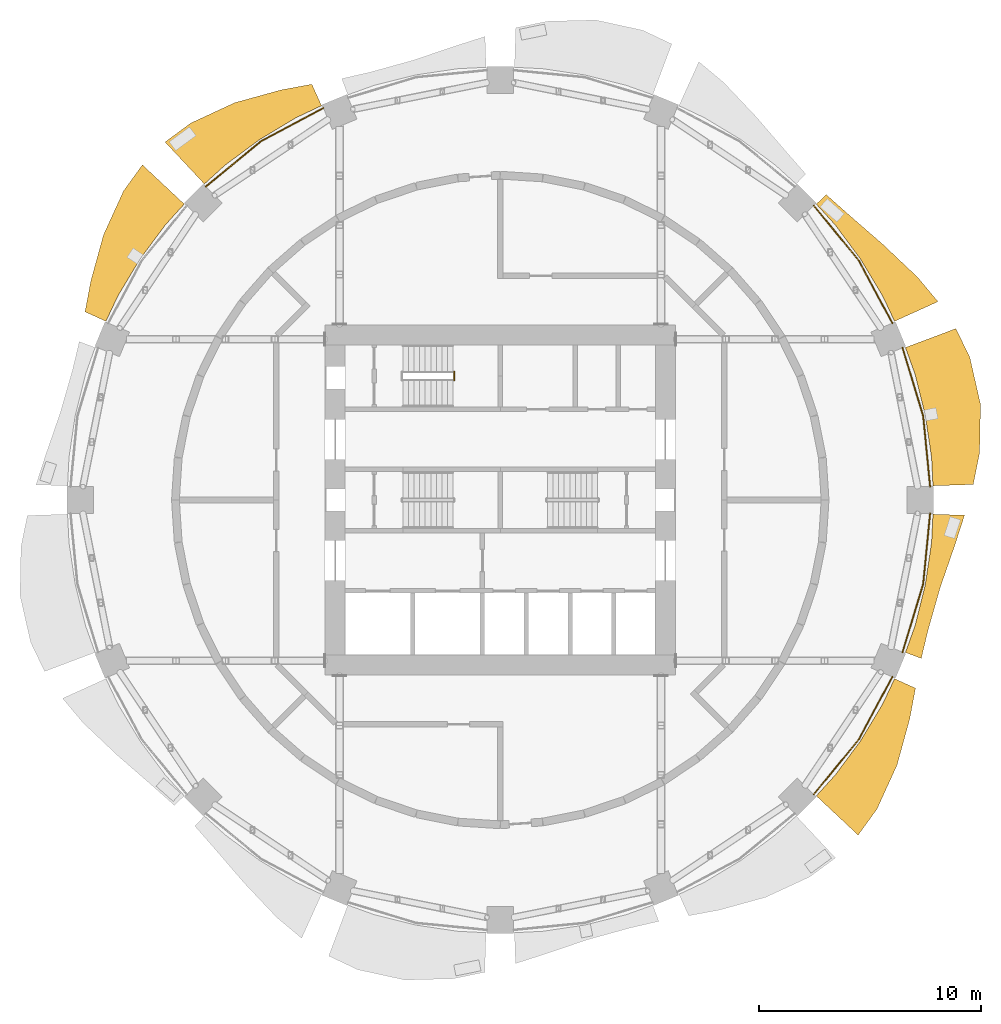
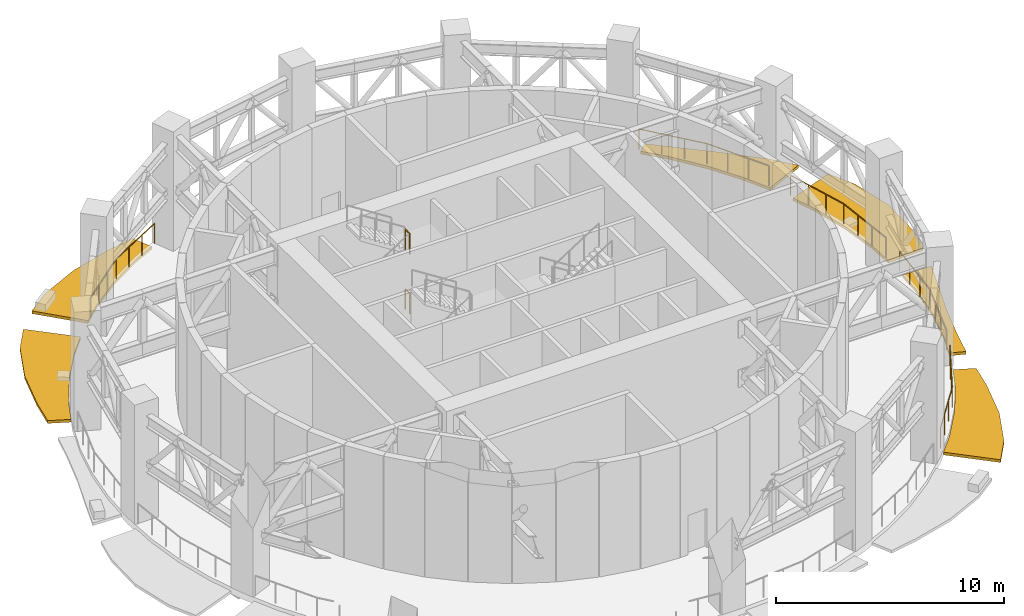
# One storey, part 12 of 14: 7 railings, 6 shading devices.
"""IFC4 building model written with IfcOpenShell, lengths in metres."""

from ifc_helpers import new_model, si_unit, direction, frame, origin, origin_2d, place, context, subcontext, project, spatial, polyline, circle, outline, extrude, material, type_object, element, save


model = new_model("IFC4")

# Units and contexts
model_context = context("Model", 3, precision=1e-05, world=origin(), true_north=direction((0.0, 1.0)))
body_context = subcontext(model_context, "Body", "Model", "MODEL_VIEW")
ifc_project = project(units=[si_unit("LENGTHUNIT", "METRE"), si_unit("AREAUNIT", "SQUARE_METRE"), si_unit("VOLUMEUNIT", "CUBIC_METRE"), si_unit("PLANEANGLEUNIT", "RADIAN"), si_unit("MASSUNIT", "GRAM", prefix="KILO")], contexts=[model_context])

# Site, building, storey
site_placement = place(None, origin())
site = spatial("IfcSite", under=ifc_project, at=site_placement, CompositionType="ELEMENT")
building_placement = place(site_placement, origin())
building = spatial("IfcBuilding", under=site, at=building_placement, Name="Polderwave Tower", CompositionType="ELEMENT")
storey_placement = place(building_placement, frame((0.0, 0.0, 66.35009765625)))
storey = spatial("IfcBuildingStorey", under=building, at=storey_placement, Name="L17", CompositionType="ELEMENT", Elevation=66.35009765625)

# Railings
ifc_material_1 = material(Name="Stainless steel", Category="steel")
railing_type_1 = type_object("IfcRailingType", Name="Stair guard 1100", PredefinedType="GUARDRAIL", material=ifc_material_1)
for number, where, name in (
    (1, (-2.073974609375, 5.3740234375, 1.599853515625), "L17 ST-C stair guard 2"),
    (2, (-2.073974609375, 5.3740234375, 4.7998046875), "L17 ST-C stair guard 6"),
):
    element("IfcRailing", number, at=place(storey_placement, frame(where)), inside=storey, type_object=railing_type_1, Name=name, PredefinedType="GUARDRAIL", context=body_context, shape_type="SweptSolid", body=[
        extrude(circle(Radius=0.02392578125, at=origin_2d()), frame((0.0, 0.0, 1.076171875), z_axis=(0.0, 1.0, 0.0), x_axis=(-1.0, 0.0, 0.0)), (0.0, 0.0, 1.0), 0.39990234375),
        extrude(circle(Radius=0.02099609375, at=origin_2d()), origin(), (0.0, 0.0, 1.0), 1.052001953125),
        extrude(circle(Radius=0.02099609375, at=origin_2d()), frame((0.0, 0.39990234375, 0.0)), (0.0, 0.0, 1.0), 1.052001953125),
    ])

# Shading devices
ifc_material_2 = material(Name="Terracotta", Category="masonry")
shading_device_type = type_object("IfcShadingDeviceType", Name="Terracotta sunshade band", PredefinedType="USERDEFINED", material=ifc_material_2)
shading_device_1_placement = place(storey_placement, frame((0.0, 0.0, -0.35009765625)))
element("IfcShadingDevice", 3, at=shading_device_1_placement, inside=storey, type_object=shading_device_type, Name="Sunshade band L17 1", ObjectType="SUNSHADE", PredefinedType="USERDEFINED", context=body_context, shape_type="SweptSolid", body=[
    extrude(outline(polyline([(19.448486328125, 0.638427734375), (19.38623046875, 1.909423828125), (19.105712890625, 3.80029296875), (18.64111328125, 5.65478515625), (18.21240234375, 6.852783203125), (20.480224609375, 7.706298828125), (21.10791015625, 6.403076171875), (21.5869140625, 4.2939453125), (21.54443359375, 2.121826171875), (21.2587890625, 0.69775390625), (19.448486328125, 0.638427734375)])), origin(), (0.0, 0.0, 1.0), 0.14990234375),
])
shading_device_2_placement = place(storey_placement, frame((0.0, 0.0, -0.35009765625)))
element("IfcShadingDevice", 4, at=shading_device_2_placement, inside=storey, type_object=shading_device_type, Name="Sunshade band L17 2", ObjectType="SUNSHADE", PredefinedType="USERDEFINED", context=body_context, shape_type="SweptSolid", body=[
    extrude(outline(polyline([(17.723876953125, 8.032470703125), (17.1796875, 9.182861328125), (16.197021484375, 10.822509765625), (15.05810546875, 12.35791015625), (14.20361328125, 13.30078125), (14.653564453125, 13.72216796875), (15.6455078125, 12.840087890625), (17.197021484375, 11.49072265625), (18.749267578125, 10.021728515625), (19.6748046875, 8.91650390625), (17.723876953125, 8.032470703125)])), origin(), (0.0, 0.0, 1.0), 0.14990234375),
])
shading_device_3_placement = place(storey_placement, frame((0.0, 0.0, -0.35009765625)))
element("IfcShadingDevice", 5, at=shading_device_3_placement, inside=storey, type_object=shading_device_type, Name="Sunshade band L17 6", ObjectType="SUNSHADE", PredefinedType="USERDEFINED", context=body_context, shape_type="SweptSolid", body=[
    extrude(outline(polyline([(-8.032470703125, 17.723876953125), (-9.182861328125, 17.1796875), (-10.822509765625, 16.197021484375), (-12.35791015625, 15.05810546875), (-13.30078125, 14.20361328125), (-15.06689453125, 16.089599609375), (-13.906005859375, 16.944580078125), (-11.93212890625, 17.857666015625), (-9.852294921875, 18.4326171875), (-8.46923828125, 18.6875), (-8.032470703125, 17.723876953125)])), origin(), (0.0, 0.0, 1.0), 0.14990234375),
])
shading_device_4_placement = place(storey_placement, frame((0.0, 0.0, -0.35009765625)))
element("IfcShadingDevice", 6, at=shading_device_4_placement, inside=storey, type_object=shading_device_type, Name="Sunshade band L17 7", ObjectType="SUNSHADE", PredefinedType="USERDEFINED", context=body_context, shape_type="SweptSolid", body=[
    extrude(outline(polyline([(-14.20361328125, 13.30078125), (-15.05810546875, 12.35791015625), (-16.197021484375, 10.822509765625), (-17.1796875, 9.182861328125), (-17.723876953125, 8.032470703125), (-18.663818359375, 8.458251953125), (-18.4052734375, 9.837890625), (-17.83349609375, 11.916015625), (-16.930908203125, 13.89501953125), (-16.0849609375, 15.062744140625), (-14.20361328125, 13.30078125)])), origin(), (0.0, 0.0, 1.0), 0.14990234375),
])
shading_device_5_placement = place(storey_placement, frame((0.0, 0.0, -0.35009765625)))
element("IfcShadingDevice", 7, at=shading_device_5_placement, inside=storey, type_object=shading_device_type, Name="Sunshade band L17 15", ObjectType="SUNSHADE", PredefinedType="USERDEFINED", context=body_context, shape_type="SweptSolid", body=[
    extrude(outline(polyline([(14.20361328125, -13.30078125), (15.05810546875, -12.35791015625), (16.197021484375, -10.822509765625), (17.1796875, -9.182861328125), (17.723876953125, -8.032470703125), (18.663818359375, -8.458251953125), (18.4052734375, -9.837890625), (17.83349609375, -11.916015625), (16.930908203125, -13.89501953125), (16.0849609375, -15.062744140625), (14.20361328125, -13.30078125)])), origin(), (0.0, 0.0, 1.0), 0.14990234375),
])
shading_device_6_placement = place(storey_placement, frame((0.0, 0.0, -0.35009765625)))
element("IfcShadingDevice", 8, at=shading_device_6_placement, inside=storey, type_object=shading_device_type, Name="Sunshade band L17 16", ObjectType="SUNSHADE", PredefinedType="USERDEFINED", context=body_context, shape_type="SweptSolid", body=[
    extrude(outline(polyline([(18.21240234375, -6.852783203125), (18.64111328125, -5.65478515625), (19.105712890625, -3.80029296875), (19.38623046875, -1.909423828125), (19.448486328125, -0.638427734375), (20.867919921875, -0.684814453125), (20.438720703125, -2.012939453125), (19.77490234375, -3.93359375), (19.23095703125, -5.83349609375), (18.92333984375, -7.120361328125), (18.21240234375, -6.852783203125)])), origin(), (0.0, 0.0, 1.0), 0.14990234375),
])

# Railings
ifc_material_3 = material(Name="Stainless steel 316", Category="steel")
railing_type_2 = type_object("IfcRailingType", Name="Wind floor guard 1100", PredefinedType="GUARDRAIL", material=ifc_material_3)
railing_1_placement = place(storey_placement, frame((19.32080078125, 0.60009765625, 0.0)))
element("IfcRailing", 9, at=railing_1_placement, inside=storey, type_object=railing_type_2, Name="Wind floor guard L17 1", PredefinedType="GUARDRAIL", context=body_context, shape_type="SweptSolid", body=[
    extrude(circle(Radius=0.02490234375, at=origin_2d()), frame((0.0, 0.0, 1.0751953125), z_axis=(-0.097998644661, 0.995186548163, 0.0), x_axis=(-0.995186548163, -0.097998644661, 0.0)), (0.0, 0.0, 1.0), 3.1962890625),
    extrude(circle(Radius=0.02490234375, at=origin_2d()), frame((-0.313232421875, 3.180908203125, 1.0751953125), z_axis=(-0.290261786496, 0.956947279269, 0.0), x_axis=(-0.956947279269, -0.290261786496, 0.0)), (0.0, 0.0, 1.0), 3.1962890625),
    extrude(circle(Radius=0.02001953125, at=origin_2d()), origin(), (0.0, 0.0, 1.0), 1.050048828125),
    extrude(circle(Radius=0.02001953125, at=origin_2d()), frame((-0.1044921875, 1.060302734375, 0.0)), (0.0, 0.0, 1.0), 1.050048828125),
    extrude(circle(Radius=0.02001953125, at=origin_2d()), frame((-0.208740234375, 2.12060546875, 0.0)), (0.0, 0.0, 1.0), 1.050048828125),
    extrude(circle(Radius=0.02001953125, at=origin_2d()), frame((-0.313232421875, 3.180908203125, 0.0)), (0.0, 0.0, 1.0), 1.050048828125),
    extrude(circle(Radius=0.02001953125, at=origin_2d()), frame((-0.62255859375, 4.200439453125, 0.0)), (0.0, 0.0, 1.0), 1.050048828125),
    extrude(circle(Radius=0.02001953125, at=origin_2d()), frame((-0.931640625, 5.219970703125, 0.0)), (0.0, 0.0, 1.0), 1.050048828125),
    extrude(circle(Radius=0.02001953125, at=origin_2d()), frame((-1.240966796875, 6.239501953125, 0.0)), (0.0, 0.0, 1.0), 1.050048828125),
])
railing_2_placement = place(storey_placement, frame((17.62060546875, 7.947998046875, 0.0)))
element("IfcRailing", 10, at=railing_2_placement, inside=storey, type_object=railing_type_2, Name="Wind floor guard L17 2", PredefinedType="GUARDRAIL", context=body_context, shape_type="SweptSolid", body=[
    extrude(circle(Radius=0.02490234375, at=origin_2d()), frame((0.0, 0.0, 1.0751953125), z_axis=(-0.471337323832, 0.881953018682, 0.0), x_axis=(-0.881953018682, -0.471337323832, 0.0)), (0.0, 0.0, 1.0), 3.196533203125),
    extrude(circle(Radius=0.02490234375, at=origin_2d()), frame((-1.506591796875, 2.819091796875, 1.0751953125), z_axis=(-0.634426630957, 0.772983085153, 0.0), x_axis=(-0.772983085153, -0.634426630957, 0.0)), (0.0, 0.0, 1.0), 3.1962890625),
    extrude(circle(Radius=0.02001953125, at=origin_2d()), origin(), (0.0, 0.0, 1.0), 1.050048828125),
    extrude(circle(Radius=0.02001953125, at=origin_2d()), frame((-0.502197265625, 0.939697265625, 0.0)), (0.0, 0.0, 1.0), 1.050048828125),
    extrude(circle(Radius=0.02001953125, at=origin_2d()), frame((-1.00439453125, 1.87939453125, 0.0)), (0.0, 0.0, 1.0), 1.050048828125),
    extrude(circle(Radius=0.02001953125, at=origin_2d()), frame((-1.506591796875, 2.819091796875, 0.0)), (0.0, 0.0, 1.0), 1.050048828125),
    extrude(circle(Radius=0.02001953125, at=origin_2d()), frame((-2.1826171875, 3.642578125, 0.0)), (0.0, 0.0, 1.0), 1.050048828125),
    extrude(circle(Radius=0.02001953125, at=origin_2d()), frame((-2.8583984375, 4.46630859375, 0.0)), (0.0, 0.0, 1.0), 1.050048828125),
    extrude(circle(Radius=0.02001953125, at=origin_2d()), frame((-3.534423828125, 5.289794921875, 0.0)), (0.0, 0.0, 1.0), 1.050048828125),
])
railing_3_placement = place(storey_placement, frame((-7.947998046875, 17.62060546875, 0.0)))
element("IfcRailing", 11, at=railing_3_placement, inside=storey, type_object=railing_type_2, Name="Wind floor guard L17 6", PredefinedType="GUARDRAIL", context=body_context, shape_type="SweptSolid", body=[
    extrude(circle(Radius=0.02490234375, at=origin_2d()), frame((0.0, 0.0, 1.0751953125), z_axis=(-0.881953018682, -0.471337323832, 0.0), x_axis=(0.471337323832, -0.881953018682, 0.0)), (0.0, 0.0, 1.0), 3.196533203125),
    extrude(circle(Radius=0.02490234375, at=origin_2d()), frame((-2.819091796875, -1.506591796875, 1.0751953125), z_axis=(-0.772983085153, -0.634426630957, 0.0), x_axis=(0.634426630957, -0.772983085153, 0.0)), (0.0, 0.0, 1.0), 3.1962890625),
    extrude(circle(Radius=0.02001953125, at=origin_2d()), origin(), (0.0, 0.0, 1.0), 1.050048828125),
    extrude(circle(Radius=0.02001953125, at=origin_2d()), frame((-0.939697265625, -0.502197265625, 0.0)), (0.0, 0.0, 1.0), 1.050048828125),
    extrude(circle(Radius=0.02001953125, at=origin_2d()), frame((-1.87939453125, -1.00439453125, 0.0)), (0.0, 0.0, 1.0), 1.050048828125),
    extrude(circle(Radius=0.02001953125, at=origin_2d()), frame((-2.819091796875, -1.506591796875, 0.0)), (0.0, 0.0, 1.0), 1.050048828125),
    extrude(circle(Radius=0.02001953125, at=origin_2d()), frame((-3.642578125, -2.1826171875, 0.0)), (0.0, 0.0, 1.0), 1.050048828125),
    extrude(circle(Radius=0.02001953125, at=origin_2d()), frame((-4.46630859375, -2.8583984375, 0.0)), (0.0, 0.0, 1.0), 1.050048828125),
    extrude(circle(Radius=0.02001953125, at=origin_2d()), frame((-5.289794921875, -3.534423828125, 0.0)), (0.0, 0.0, 1.0), 1.050048828125),
])
railing_4_placement = place(storey_placement, frame((14.086181640625, -13.23779296875, 0.0)))
element("IfcRailing", 12, at=railing_4_placement, inside=storey, type_object=railing_type_2, Name="Wind floor guard L17 15", PredefinedType="GUARDRAIL", context=body_context, shape_type="SweptSolid", body=[
    extrude(circle(Radius=0.02490234375, at=origin_2d()), frame((0.0, 0.0, 1.0751953125), z_axis=(0.634426630957, 0.772983085153, 0.0), x_axis=(-0.772983085153, 0.634426630957, 0.0)), (0.0, 0.0, 1.0), 3.1962890625),
    extrude(circle(Radius=0.02490234375, at=origin_2d()), frame((2.02783203125, 2.470703125, 1.0751953125), z_axis=(0.471337323832, 0.881953018682, 0.0), x_axis=(-0.881953018682, 0.471337323832, 0.0)), (0.0, 0.0, 1.0), 3.196533203125),
    extrude(circle(Radius=0.02001953125, at=origin_2d()), origin(), (0.0, 0.0, 1.0), 1.050048828125),
    extrude(circle(Radius=0.02001953125, at=origin_2d()), frame((0.676025390625, 0.823486328125, 0.0)), (0.0, 0.0, 1.0), 1.050048828125),
    extrude(circle(Radius=0.02001953125, at=origin_2d()), frame((1.351806640625, 1.647216796875, 0.0)), (0.0, 0.0, 1.0), 1.050048828125),
    extrude(circle(Radius=0.02001953125, at=origin_2d()), frame((2.02783203125, 2.470703125, 0.0)), (0.0, 0.0, 1.0), 1.050048828125),
    extrude(circle(Radius=0.02001953125, at=origin_2d()), frame((2.530029296875, 3.410400390625, 0.0)), (0.0, 0.0, 1.0), 1.050048828125),
    extrude(circle(Radius=0.02001953125, at=origin_2d()), frame((3.0322265625, 4.35009765625, 0.0)), (0.0, 0.0, 1.0), 1.050048828125),
    extrude(circle(Radius=0.02001953125, at=origin_2d()), frame((3.534423828125, 5.289794921875, 0.0)), (0.0, 0.0, 1.0), 1.050048828125),
])
railing_5_placement = place(storey_placement, frame((18.079833984375, -6.839599609375, 0.0)))
element("IfcRailing", 13, at=railing_5_placement, inside=storey, type_object=railing_type_2, Name="Wind floor guard L17 16", PredefinedType="GUARDRAIL", context=body_context, shape_type="SweptSolid", body=[
    extrude(circle(Radius=0.02490234375, at=origin_2d()), frame((0.0, 0.0, 1.0751953125), z_axis=(0.290261786496, 0.956947279269, 0.0), x_axis=(-0.956947279269, 0.290261786496, 0.0)), (0.0, 0.0, 1.0), 3.1962890625),
    extrude(circle(Radius=0.02490234375, at=origin_2d()), frame((0.927734375, 3.05859375, 1.0751953125), z_axis=(0.097998644661, 0.995186548163, 0.0), x_axis=(-0.995186548163, 0.097998644661, 0.0)), (0.0, 0.0, 1.0), 3.1962890625),
    extrude(circle(Radius=0.02001953125, at=origin_2d()), origin(), (0.0, 0.0, 1.0), 1.050048828125),
    extrude(circle(Radius=0.02001953125, at=origin_2d()), frame((0.309326171875, 1.01953125, 0.0)), (0.0, 0.0, 1.0), 1.050048828125),
    extrude(circle(Radius=0.02001953125, at=origin_2d()), frame((0.618408203125, 2.0390625, 0.0)), (0.0, 0.0, 1.0), 1.050048828125),
    extrude(circle(Radius=0.02001953125, at=origin_2d()), frame((0.927734375, 3.05859375, 0.0)), (0.0, 0.0, 1.0), 1.050048828125),
    extrude(circle(Radius=0.02001953125, at=origin_2d()), frame((1.0322265625, 4.118896484375, 0.0)), (0.0, 0.0, 1.0), 1.050048828125),
    extrude(circle(Radius=0.02001953125, at=origin_2d()), frame((1.136474609375, 5.17919921875, 0.0)), (0.0, 0.0, 1.0), 1.050048828125),
    extrude(circle(Radius=0.02001953125, at=origin_2d()), frame((1.240966796875, 6.239501953125, 0.0)), (0.0, 0.0, 1.0), 1.050048828125),
])

save(model, "model.ifc")
